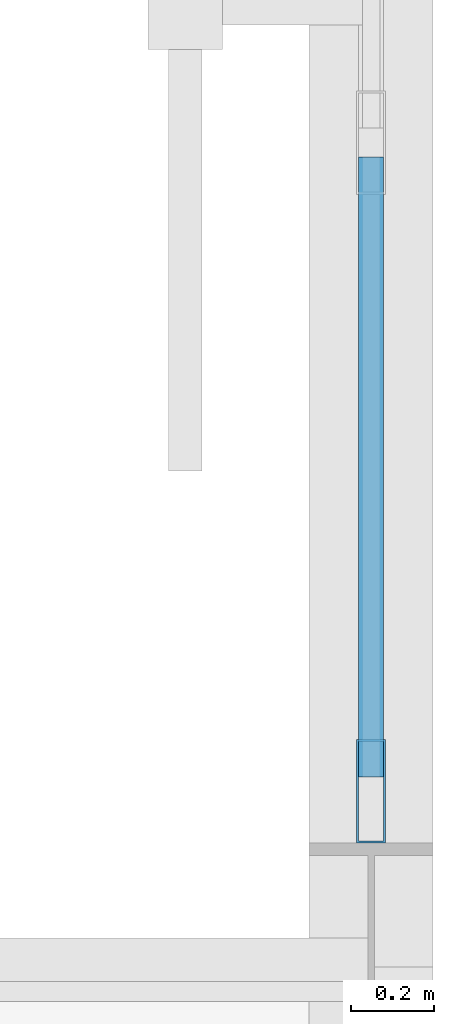
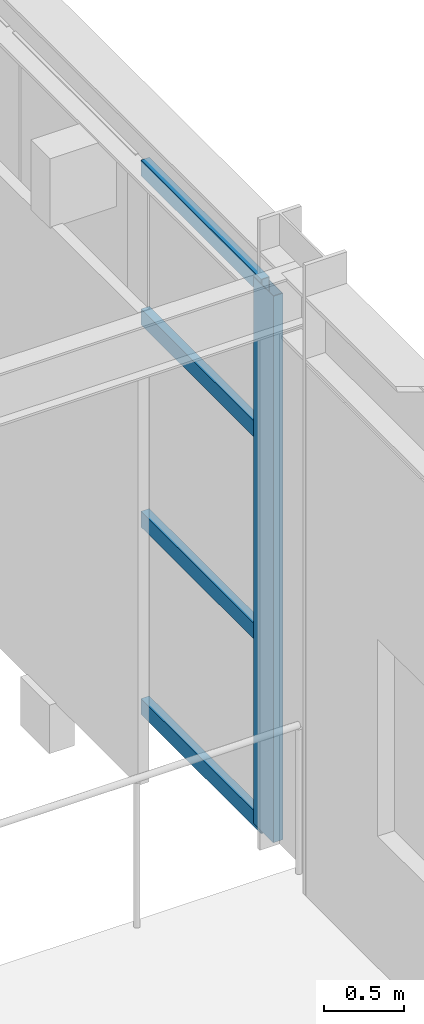
# One storey, part 57 of 121: 5 members, 1 element without a shape of its own.
"""IFC4 building model written with IfcOpenShell, lengths in metres."""

import ifcopenshell
import ifcopenshell.guid

model = None  # the IFC model being written
_history = None  # IfcOwnerHistory: only IFC2X3 demands one
_inside = {}  # id of a spatial element -> (the spatial element, [elements in it])
_under = {}  # id of a project, library or spatial element -> (it, [spatial elements below it])
_declared = {}  # id of a project -> (the project, [libraries it declares])
_typed = {}  # id of a type object -> (the type object, [elements of that type])
_made_of = {}  # id of a material, layer set ... -> (it, [elements and type objects made of it])


def new_model(schema):
    """Start an empty IFC model of exactly this schema.

    Asked for "IFC4X3", IfcOpenShell would pick the latest addendum, in which some entities
    have other attributes; the version numbers below select the first issue.
    IFC2X3 requires an IfcOwnerHistory on every rooted entity: one is made here for all.
    """
    global model, _history
    if schema == "IFC4X3":
        model = ifcopenshell.file(schema_version=(4, 3, 0, 0))
    else:
        model = ifcopenshell.file(schema=schema)
    _inside.clear()
    _under.clear()
    _declared.clear()
    _typed.clear()
    _made_of.clear()
    _history = None
    if model.schema == "IFC2X3":
        org = make("IfcOrganization", Name="unknown")
        user = make(
            "IfcPersonAndOrganization",
            ThePerson=make("IfcPerson", FamilyName="unknown"),
            TheOrganization=org,
        )
        app = make(
            "IfcApplication",
            ApplicationDeveloper=org,
            Version="unknown",
            ApplicationFullName="unknown",
            ApplicationIdentifier="unknown",
        )
        _history = make(
            "IfcOwnerHistory",
            OwningUser=user,
            OwningApplication=app,
            ChangeAction="ADDED",
            CreationDate=0,
        )
    return model


def make(cls, **values):
    """One entity of the class cls with the attributes given. An attribute that is None is left unset."""
    return model.create_entity(
        cls, **{name: value for name, value in values.items() if value is not None}
    )


def rooted(cls, **values):
    """An entity with a GlobalId (a new one), such as an element, a storey or a relation."""
    return make(cls, GlobalId=ifcopenshell.guid.new(), OwnerHistory=_history, **values)


def si_unit(unit_type, name, prefix=None):
    """IfcSIUnit, for example si_unit("LENGTHUNIT", "METRE", prefix="MILLI")."""
    return make("IfcSIUnit", UnitType=unit_type, Prefix=prefix, Name=name)


def assignment(units):
    """IfcUnitAssignment: the units of a project."""
    return None if units is None else make("IfcUnitAssignment", Units=units)


def point(xyz):
    """IfcCartesianPoint."""
    return None if xyz is None else make("IfcCartesianPoint", Coordinates=xyz)


def direction(xyz):
    """IfcDirection."""
    return None if xyz is None else make("IfcDirection", DirectionRatios=xyz)


def frame(location, z_axis=None, x_axis=None):
    """IfcAxis2Placement3D, a coordinate frame: its origin and axes. An axis left out is left unset."""
    return make(
        "IfcAxis2Placement3D",
        Location=point(location),
        Axis=direction(z_axis),
        RefDirection=direction(x_axis),
    )


def frame_2d(location, x_axis=None):
    """IfcAxis2Placement2D, a coordinate frame in the plane: its origin and x axis."""
    return make(
        "IfcAxis2Placement2D", Location=point(location), RefDirection=direction(x_axis)
    )


def origin():
    """The frame at (0, 0, 0) with its axes left unset."""
    return frame((0.0, 0.0, 0.0))


def origin_2d():
    """The frame at (0, 0) in the plane with its x axis left unset."""
    return frame_2d((0.0, 0.0))


def place(relative_to, where):
    """IfcLocalPlacement: puts the frame where relative to a parent placement (None: the world)."""
    return make(
        "IfcLocalPlacement", PlacementRelTo=relative_to, RelativePlacement=where
    )


def context(
    kind, dimensions, precision=None, world=None, true_north=None, identifier=None
):
    """IfcGeometricRepresentationContext, for example the 3D "Model" context."""
    return make(
        "IfcGeometricRepresentationContext",
        ContextIdentifier=identifier,
        ContextType=kind,
        CoordinateSpaceDimension=dimensions,
        Precision=precision,
        WorldCoordinateSystem=world,
        TrueNorth=true_north,
    )


def subcontext(parent, identifier, kind, view, scale=None):
    """IfcGeometricRepresentationSubContext, for example "Body" below "Model"."""
    return make(
        "IfcGeometricRepresentationSubContext",
        ContextIdentifier=identifier,
        ContextType=kind,
        ParentContext=parent,
        TargetScale=scale,
        TargetView=view,
    )


def project(units=None, contexts=None):
    """IfcProject with its units and contexts."""
    return rooted(
        "IfcProject",
        Name="project",
        RepresentationContexts=contexts,
        UnitsInContext=assignment(units),
    )


def spatial(cls, under=None, at=None, **own):
    """A site, building, storey or space (cls), placed at a placement, below another one or the project."""
    s = rooted(cls, ObjectPlacement=at, **own)
    if under is not None:
        _under.setdefault(under.id(), (under, []))[1].append(s)
    return s


def profile(cls, at=None, kind="AREA", **sizes):
    """A parametric profile (cls). Its sizes go by their IFC names, for example OverallWidth=200.0."""
    return make(cls, ProfileType=kind, Position=at, **sizes)


def hollow_rectangle(**sizes):
    """IfcRectangleHollowProfileDef."""
    return profile("IfcRectangleHollowProfileDef", **sizes)


def extrude(swept, where, along, depth):
    """IfcExtrudedAreaSolid: the profile swept, set in the frame where, extruded along a direction by depth."""
    return make(
        "IfcExtrudedAreaSolid",
        SweptArea=swept,
        Position=where,
        ExtrudedDirection=direction(along),
        Depth=depth,
    )


def shape(context_of_items, identifier, shape_type, items):
    """IfcShapeRepresentation: the items that make up one representation, for example the "Body"."""
    return make(
        "IfcShapeRepresentation",
        ContextOfItems=context_of_items,
        RepresentationIdentifier=identifier,
        RepresentationType=shape_type,
        Items=items,
    )


def material(Name=None, Category=None):
    """IfcMaterial."""
    return make("IfcMaterial", Name=Name, Category=Category)


def layer(
    of_material, thickness, ventilated=None, Name=None, Category=None, Priority=None
):
    """IfcMaterialLayer: one layer of a wall or slab, of a material (None: an air gap)."""
    return make(
        "IfcMaterialLayer",
        Material=of_material,
        LayerThickness=thickness,
        IsVentilated=ventilated,
        Name=Name,
        Category=Category,
        Priority=Priority,
    )


def layer_set(layers, Name=None):
    """IfcMaterialLayerSet."""
    return make("IfcMaterialLayerSet", MaterialLayers=layers, LayerSetName=Name)


def material_profile(
    of_material, cross_section, Name=None, Category=None, Priority=None
):
    """IfcMaterialProfile: a cross section and its material."""
    return make(
        "IfcMaterialProfile",
        Name=Name,
        Material=of_material,
        Profile=cross_section,
        Priority=Priority,
        Category=Category,
    )


def profile_set(profiles, Name=None, composite=None):
    """IfcMaterialProfileSet."""
    return make(
        "IfcMaterialProfileSet",
        Name=Name,
        MaterialProfiles=profiles,
        CompositeProfile=composite,
    )


def made_of(thing, what):
    """Note that an element or type object is made of a material, layer set ...; save() writes the relation."""
    if what is not None:
        _made_of.setdefault(what.id(), (what, []))[1].append(thing)
    return thing


def type_object(cls, material=None, **own):
    """A type object (cls), such as IfcWallType, which elements share."""
    return made_of(rooted(cls, **own), material)


def element(
    cls,
    number,
    at=None,
    inside=None,
    cuts=None,
    type_object=None,
    material=None,
    context=None,
    identifier="Body",
    shape_type=None,
    held_by="IfcProductDefinitionShape",
    body=None,
    shapes=None,
    **own,
):
    """One element of the class cls, such as IfcWall. Its Tag is "e" and its number.

    at: its placement. inside: the storey or other place that contains it. cuts: it is an
    opening in that element (IfcRelVoidsElement). A single representation is given by context,
    identifier, shape_type and body (its items); several are given by shapes. held_by: the class
    of the entity that holds the representations. save() writes the other relations.
    """
    e = rooted(cls, Tag="e%d" % number, ObjectPlacement=at, **own)
    if body is not None:
        shapes = [shape(context, identifier, shape_type, body)]
    if shapes is not None:
        e.Representation = make(held_by, Representations=shapes)
    if inside is not None:
        _inside.setdefault(inside.id(), (inside, []))[1].append(e)
    if cuts is not None:
        rooted(
            "IfcRelVoidsElement", RelatingBuildingElement=cuts, RelatedOpeningElement=e
        )
    if type_object is not None:
        _typed.setdefault(type_object.id(), (type_object, []))[1].append(e)
    return made_of(e, material)


def aggregate(whole, parts):
    """IfcRelAggregates: a whole, such as a stair, and the parts it consists of."""
    return rooted("IfcRelAggregates", RelatingObject=whole, RelatedObjects=parts)


def save(model, path):
    """Write the relations noted so far, then the file.

    IfcRelAggregates (storeys below a building ...), IfcRelContainedInSpatialStructure (elements
    in a storey), IfcRelDefinesByType, IfcRelAssociatesMaterial and IfcRelDeclares: one each for
    every whole, place, type object, material and project.
    """
    for whole, parts in _under.values():
        aggregate(whole, parts)
    for where, things in _inside.values():
        rooted(
            "IfcRelContainedInSpatialStructure",
            RelatedElements=things,
            RelatingStructure=where,
        )
    for kind, things in _typed.values():
        rooted("IfcRelDefinesByType", RelatedObjects=things, RelatingType=kind)
    for what, things in _made_of.values():
        rooted("IfcRelAssociatesMaterial", RelatedObjects=things, RelatingMaterial=what)
    for by, libraries in _declared.values():
        rooted("IfcRelDeclares", RelatingContext=by, RelatedDefinitions=libraries)
    model.write(path)


model = new_model("IFC4")

# Units and contexts
model_context = context("Model", 3, precision=1e-05, world=origin(), true_north=direction((0.0, 1.0)))
body_context = subcontext(model_context, "Body", "Model", "MODEL_VIEW")
ifc_project = project(units=[si_unit("LENGTHUNIT", "METRE"), si_unit("AREAUNIT", "SQUARE_METRE"), si_unit("VOLUMEUNIT", "CUBIC_METRE"), si_unit("PLANEANGLEUNIT", "RADIAN"), si_unit("MASSUNIT", "GRAM", prefix="KILO")], contexts=[model_context])

# Site, building, storey
site_placement = place(None, origin())
site = spatial("IfcSite", under=ifc_project, at=site_placement, CompositionType="ELEMENT")
building_placement = place(site_placement, origin())
building = spatial("IfcBuilding", under=site, at=building_placement, Name="Solvadek Multi-Sports Hall", CompositionType="ELEMENT")
storey_placement = place(building_placement, frame((0.0, 0.0, 4.800048828125)))
storey = spatial("IfcBuildingStorey", under=building, at=storey_placement, Name="L01", CompositionType="ELEMENT", Elevation=4.800048828125)

# Curtain wall, members
ifc_material = material(Name="Anodised aluminium", Category="aluminium")
ifc_layer = layer(ifc_material, 0.159912109375, Name="Anodised aluminium")
ifc_layer_set = layer_set([ifc_layer], Name="Anodised aluminium")
curtain_wall_type = type_object("IfcCurtainWallType", Name="ENV-CW-642X416", PredefinedType="USERDEFINED", material=ifc_layer_set)
curtain_wall_placement = place(storey_placement, origin())
curtain_wall = element("IfcCurtainWall", 1, at=curtain_wall_placement, inside=storey, type_object=curtain_wall_type, Name="L01 Perimeter Bay Curtain Wall #145", ObjectType="CURTAIN WALL", PredefinedType="USERDEFINED")
ifc_material_profile_1 = material_profile(ifc_material, hollow_rectangle(XDim=0.070068359375, YDim=0.25, WallThickness=0.0048828125, at=origin_2d()), Name="ALU-M 250x70x5")
ifc_profile_set_1 = profile_set([ifc_material_profile_1], Name="Anodised aluminium")
member_type_1 = type_object("IfcMemberType", Name="ENV-CWM-05", PredefinedType="MULLION", material=ifc_profile_set_1)
member_1_placement = place(storey_placement, frame((161.39990234375, 49.625, 0.0), z_axis=(0.0, 0.0, 1.0), x_axis=(-1.0, 0.0, 0.0)))
member_1 = element("IfcMember", 2, at=member_1_placement, type_object=member_type_1, Name="CW-53 mullion 1", PredefinedType="MULLION", context=body_context, shape_type="SweptSolid", body=[
    extrude(hollow_rectangle(XDim=0.070068359375, YDim=0.25, WallThickness=0.0048828125, at=origin_2d()), origin(), (0.0, 0.0, 1.0), 4.161865234375),
])
ifc_material_profile_2 = material_profile(ifc_material, hollow_rectangle(XDim=0.06005859375, YDim=0.1201171875, WallThickness=0.00390625, at=origin_2d()), Name="ALU-T 120x60x4")
ifc_profile_set_2 = profile_set([ifc_material_profile_2], Name="Anodised aluminium")
member_type_2 = type_object("IfcMemberType", Name="ENV-CWT-01", PredefinedType="USERDEFINED", material=ifc_profile_set_2)
member_2_placement = place(storey_placement, frame((161.39990234375, 49.659912109375, 0.030029296875), z_axis=(0.0, 1.0, 0.0), x_axis=(-1.0, 0.0, 0.0)))
member_2 = element("IfcMember", 3, at=member_2_placement, type_object=member_type_2, Name="CW-53 transom 1.1", ObjectType="TRANSOM", PredefinedType="USERDEFINED", context=body_context, shape_type="SweptSolid", body=[
    extrude(hollow_rectangle(XDim=0.06005859375, YDim=0.1201171875, WallThickness=0.00390625, at=origin_2d()), origin(), (0.0, 0.0, 1.0), 1.5),
])
member_3_placement = place(storey_placement, frame((161.39990234375, 49.659912109375, 1.45703125), z_axis=(0.0, 1.0, 0.0), x_axis=(-1.0, 0.0, 0.0)))
member_3 = element("IfcMember", 4, at=member_3_placement, type_object=member_type_2, Name="CW-53 transom 1.2", ObjectType="TRANSOM", PredefinedType="USERDEFINED", context=body_context, shape_type="SweptSolid", body=[
    extrude(hollow_rectangle(XDim=0.06005859375, YDim=0.1201171875, WallThickness=0.00390625, at=origin_2d()), origin(), (0.0, 0.0, 1.0), 1.5),
])
member_4_placement = place(storey_placement, frame((161.39990234375, 49.659912109375, 2.9970703125), z_axis=(0.0, 1.0, 0.0), x_axis=(-1.0, 0.0, 0.0)))
member_4 = element("IfcMember", 5, at=member_4_placement, type_object=member_type_2, Name="CW-53 transom 1.3", ObjectType="TRANSOM", PredefinedType="USERDEFINED", context=body_context, shape_type="SweptSolid", body=[
    extrude(hollow_rectangle(XDim=0.06005859375, YDim=0.1201171875, WallThickness=0.00390625, at=origin_2d()), origin(), (0.0, 0.0, 1.0), 1.5),
])
member_5_placement = place(storey_placement, frame((161.39990234375, 49.659912109375, 4.1318359375), z_axis=(0.0, 1.0, 0.0), x_axis=(-1.0, 0.0, 0.0)))
member_5 = element("IfcMember", 6, at=member_5_placement, type_object=member_type_2, Name="CW-53 transom 1.4", ObjectType="TRANSOM", PredefinedType="USERDEFINED", context=body_context, shape_type="SweptSolid", body=[
    extrude(hollow_rectangle(XDim=0.06005859375, YDim=0.1201171875, WallThickness=0.00390625, at=origin_2d()), origin(), (0.0, 0.0, 1.0), 1.5),
])
aggregate(curtain_wall, [member_1, member_2, member_3, member_4, member_5])

save(model, "model.ifc")
